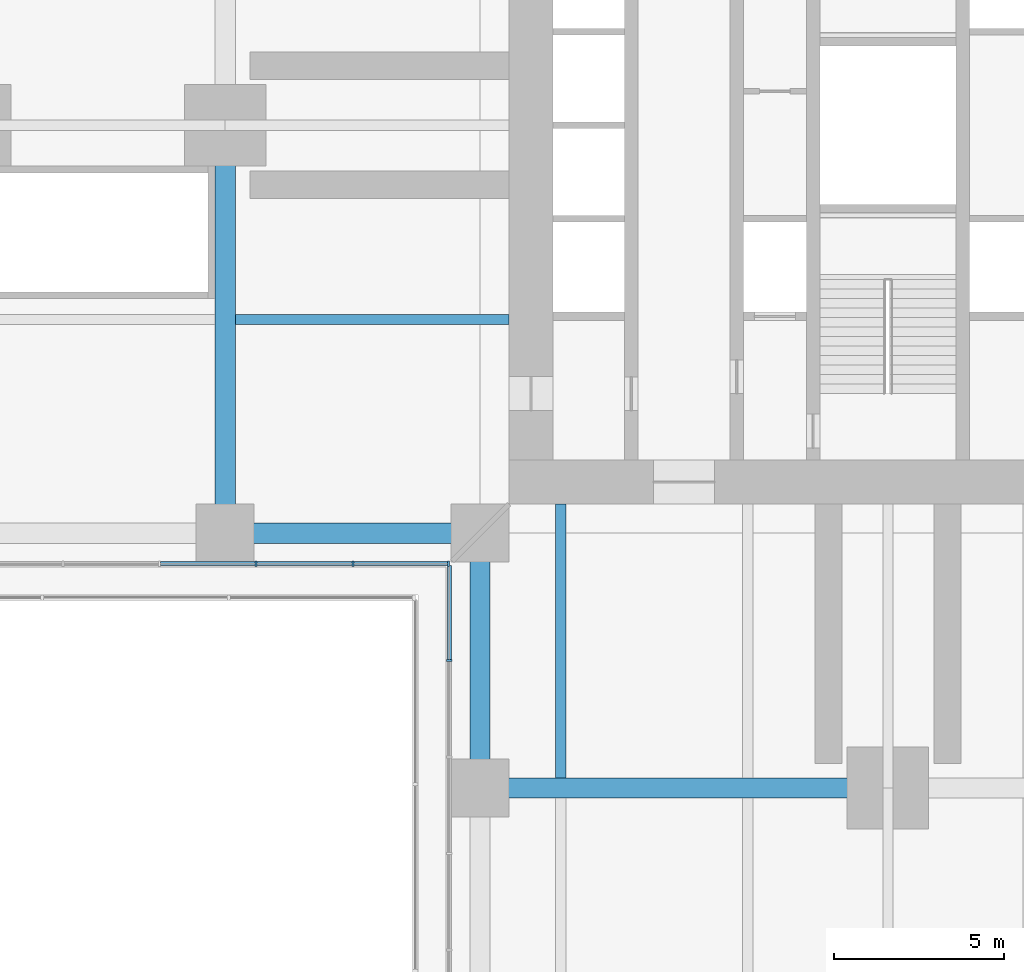
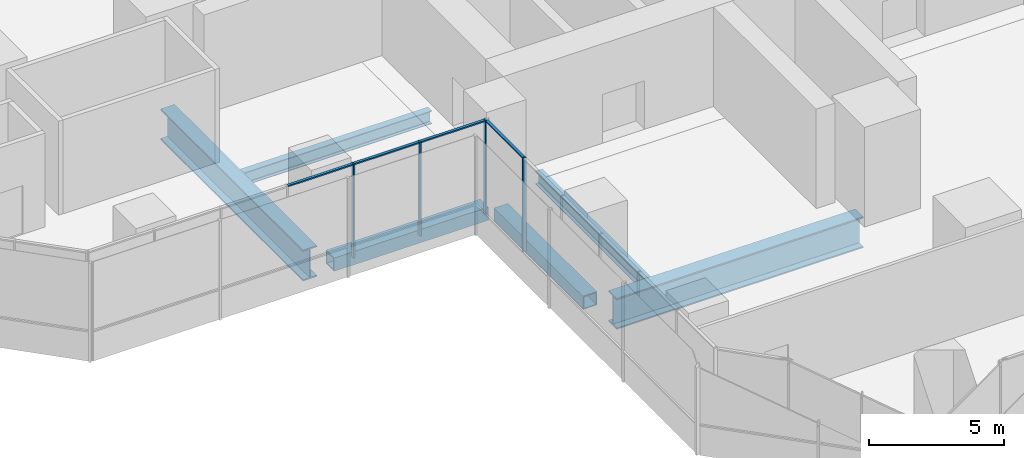
# One storey, part 4 of 21: 8 members, 6 beams, 2 elements without a shape of their own.
"""IFC4 building model written with IfcOpenShell, lengths in metres."""

from ifc_helpers import new_model, si_unit, direction, frame, origin, origin_2d, place, context, subcontext, project, spatial, rectangle, hollow_rectangle, i_section, extrude, material, material_profile, profile_set, type_object, element, aggregate, save


model = new_model("IFC4")

# Units and contexts
model_context = context("Model", 3, precision=1e-05, world=origin(), true_north=direction((0.0, 1.0)))
body_context = subcontext(model_context, "Body", "Model", "MODEL_VIEW")
ifc_project = project(units=[si_unit("LENGTHUNIT", "METRE"), si_unit("AREAUNIT", "SQUARE_METRE"), si_unit("VOLUMEUNIT", "CUBIC_METRE"), si_unit("PLANEANGLEUNIT", "RADIAN"), si_unit("MASSUNIT", "GRAM", prefix="KILO")], contexts=[model_context])

# Site, building, storey
site_placement = place(None, origin())
site = spatial("IfcSite", under=ifc_project, at=site_placement, CompositionType="ELEMENT")
building_placement = place(site_placement, origin())
building = spatial("IfcBuilding", under=site, at=building_placement, Name="Mizan Broadcast Tower", CompositionType="ELEMENT")
storey_placement = place(building_placement, frame((0.0, 0.0, 33.0)))
storey = spatial("IfcBuildingStorey", under=building, at=storey_placement, Name="L05", CompositionType="ELEMENT", Elevation=33.0)

# Beams
ifc_material_1 = material(Name="Steel S355", Category="steel")
ifc_material_profile_1 = material_profile(ifc_material_1, hollow_rectangle(XDim=0.60009765625, YDim=0.60009765625, WallThickness=0.0400390625, at=origin_2d()), Name="BOX 600x600x40")
ifc_profile_set_1 = profile_set([ifc_material_profile_1], Name="Steel S355")
beam_type_1 = type_object("IfcBeamType", Name="EDGE BEAM BOX 600x600x40", PredefinedType="SPANDREL", material=ifc_profile_set_1)
for number, where, z_axis, x_axis, name in (
    (1, (-12.449951171875, -12.0, -0.550048828125), (-1.0, 0.0, 0.0), (0.0, -1.0, 0.0), "Edge beam BOX 600x600x40 L05 west arm"),
    (2, (-12.0, -12.449951171875, -0.550048828125), (0.0, -1.0, 0.0), (1.0, 0.0, 0.0), "Edge beam BOX 600x600x40 L05 south arm"),
):
    element("IfcBeam", number, at=place(storey_placement, frame(where, z_axis=z_axis, x_axis=x_axis)), inside=storey, type_object=beam_type_1, Name=name, PredefinedType="SPANDREL", context=body_context, shape_type="SweptSolid", body=[
        extrude(hollow_rectangle(XDim=0.60009765625, YDim=0.60009765625, WallThickness=0.0400390625, at=origin_2d()), origin(), (0.0, 0.0, 1.0), 6.60009765625),
    ])
ifc_material_2 = material(Name="Steel S460", Category="steel")
ifc_material_profile_2 = material_profile(ifc_material_2, i_section(OverallWidth=0.60009765625, OverallDepth=1.39990234375, WebThickness=0.02490234375, FlangeThickness=0.06005859375, at=origin_2d()), Name="WPG 1400x600")
ifc_profile_set_2 = profile_set([ifc_material_profile_2], Name="Steel S460")
beam_type_2 = type_object("IfcBeamType", Name="GIRDER WPG 1400x600", PredefinedType="BEAM", material=ifc_profile_set_2)
for number, where, z_axis, x_axis, name in (
    (3, (-19.5, -0.719970703125, -0.949951171875), (0.0, -1.0, 0.0), (1.0, 0.0, 0.0), "Girder WPG 1400x600 L05 west arm"),
    (4, (-11.280029296875, -19.5, -0.949951171875), (1.0, 0.0, 0.0), (0.0, 1.0, 0.0), "Girder WPG 1400x600 L05 south arm"),
):
    element("IfcBeam", number, at=place(storey_placement, frame(where, z_axis=z_axis, x_axis=x_axis)), inside=storey, type_object=beam_type_2, Name=name, PredefinedType="BEAM", context=body_context, shape_type="SweptSolid", body=[
        extrude(i_section(OverallWidth=0.60009765625, OverallDepth=1.39990234375, WebThickness=0.02490234375, FlangeThickness=0.06005859375, at=origin_2d()), origin(), (0.0, 0.0, 1.0), 10.56005859375),
    ])

# Curtain wall, members
ifc_material_3 = material(Name="Aluminium framed glazing", Category="aluminium")
curtain_wall_type = type_object("IfcCurtainWallType", Name="PODIUM CURTAIN WALL", PredefinedType="USERDEFINED", material=ifc_material_3)
curtain_wall_1_placement = place(storey_placement, origin())
curtain_wall_1 = element("IfcCurtainWall", 5, at=curtain_wall_1_placement, inside=storey, type_object=curtain_wall_type, Name="Podium curtain wall L05 W side", ObjectType="PODIUM CURTAIN WALL", PredefinedType="USERDEFINED")
ifc_material_4 = material(Name="Aluminium, pale anodised", Category="aluminium")
ifc_material_profile_3 = material_profile(ifc_material_4, rectangle(XDim=0.159912109375, YDim=0.06005859375, at=origin_2d()), Name="MULLION 160x60")
ifc_profile_set_3 = profile_set([ifc_material_profile_3], Name="Aluminium, pale anodised")
member_type_1 = type_object("IfcMemberType", Name="INNER SKIN MULLION 60x160", PredefinedType="MULLION", material=ifc_profile_set_3)
member_1_placement = place(storey_placement, frame((-18.586181640625, -12.89990234375, 0.0), z_axis=(0.0, 0.0, 1.0), x_axis=(0.0, 1.0, 0.0)))
member_1 = element("IfcMember", 6, at=member_1_placement, type_object=member_type_1, Name="Podium curtain wall L05 W side mullion 5", PredefinedType="MULLION", context=body_context, shape_type="SweptSolid", body=[
    extrude(rectangle(XDim=0.159912109375, YDim=0.06005859375, at=origin_2d()), origin(), (0.0, 0.0, 1.0), 4.25),
])
member_2_placement = place(storey_placement, frame((-15.7431640625, -12.89990234375, 0.0), z_axis=(0.0, 0.0, 1.0), x_axis=(0.0, 1.0, 0.0)))
member_2 = element("IfcMember", 7, at=member_2_placement, type_object=member_type_1, Name="Podium curtain wall L05 W side mullion 6", PredefinedType="MULLION", context=body_context, shape_type="SweptSolid", body=[
    extrude(rectangle(XDim=0.159912109375, YDim=0.06005859375, at=origin_2d()), origin(), (0.0, 0.0, 1.0), 4.25),
])
member_3_placement = place(storey_placement, frame((-12.929931640625, -12.89990234375, 0.0), z_axis=(0.0, 0.0, 1.0), x_axis=(0.0, 1.0, 0.0)))
member_3 = element("IfcMember", 8, at=member_3_placement, type_object=member_type_1, Name="Podium curtain wall L05 W side mullion 7", PredefinedType="MULLION", context=body_context, shape_type="SweptSolid", body=[
    extrude(rectangle(XDim=0.159912109375, YDim=0.06005859375, at=origin_2d()), origin(), (0.0, 0.0, 1.0), 4.25),
])

# Curtain wall, member
curtain_wall_2_placement = place(storey_placement, origin())
curtain_wall_2 = element("IfcCurtainWall", 9, at=curtain_wall_2_placement, inside=storey, type_object=curtain_wall_type, Name="Podium curtain wall L05 S side", ObjectType="PODIUM CURTAIN WALL", PredefinedType="USERDEFINED")
member_4_placement = place(storey_placement, frame((-12.89990234375, -15.7431640625, 0.0), z_axis=(0.0, 0.0, 1.0), x_axis=(1.0, 0.0, 0.0)))
member_4 = element("IfcMember", 10, at=member_4_placement, type_object=member_type_1, Name="Podium curtain wall L05 S side mullion 2", PredefinedType="MULLION", context=body_context, shape_type="SweptSolid", body=[
    extrude(rectangle(XDim=0.159912109375, YDim=0.06005859375, at=origin_2d()), origin(), (0.0, 0.0, 1.0), 4.25),
])

# Member
ifc_material_5 = material(Name="Aluminium, pale anodised", Category="aluminium")
ifc_material_profile_4 = material_profile(ifc_material_5, rectangle(XDim=0.1201171875, YDim=0.06005859375, at=origin_2d()), Name="TRANSOM 120x60")
ifc_profile_set_4 = profile_set([ifc_material_profile_4], Name="Aluminium, pale anodised")
member_type_2 = type_object("IfcMemberType", Name="INNER SKIN TRANSOM 60x120", PredefinedType="USERDEFINED", material=ifc_profile_set_4)
member_5_placement = place(storey_placement, frame((-21.399169921875, -12.89990234375, 4.219970703125), z_axis=(1.0, 0.0, 0.0), x_axis=(0.0, 1.0, 0.0)))
member_5 = element("IfcMember", 11, at=member_5_placement, type_object=member_type_2, Name="Podium curtain wall L05 W side transom 4.1", ObjectType="TRANSOM", PredefinedType="USERDEFINED", context=body_context, shape_type="SweptSolid", body=[
    extrude(rectangle(XDim=0.1201171875, YDim=0.06005859375, at=origin_2d()), origin(), (0.0, 0.0, 1.0), 2.782958984375),
])

member_6_placement = place(storey_placement, frame((-18.55615234375, -12.89990234375, 4.219970703125), z_axis=(1.0, 0.0, 0.0), x_axis=(0.0, 1.0, 0.0)))
member_6 = element("IfcMember", 12, at=member_6_placement, type_object=member_type_2, Name="Podium curtain wall L05 W side transom 5.1", ObjectType="TRANSOM", PredefinedType="USERDEFINED", context=body_context, shape_type="SweptSolid", body=[
    extrude(rectangle(XDim=0.1201171875, YDim=0.06005859375, at=origin_2d()), origin(), (0.0, 0.0, 1.0), 2.782958984375),
])

member_7_placement = place(storey_placement, frame((-15.713134765625, -12.89990234375, 4.219970703125), z_axis=(1.0, 0.0, 0.0), x_axis=(0.0, 1.0, 0.0)))
member_7 = element("IfcMember", 13, at=member_7_placement, type_object=member_type_2, Name="Podium curtain wall L05 W side transom 6.1", ObjectType="TRANSOM", PredefinedType="USERDEFINED", context=body_context, shape_type="SweptSolid", body=[
    extrude(rectangle(XDim=0.1201171875, YDim=0.06005859375, at=origin_2d()), origin(), (0.0, 0.0, 1.0), 2.753173828125),
])

aggregate(curtain_wall_1, [member_1, member_2, member_3, member_5, member_6, member_7])

member_8_placement = place(storey_placement, frame((-12.89990234375, -12.9599609375, 4.219970703125), z_axis=(0.0, -1.0, 0.0), x_axis=(1.0, 0.0, 0.0)))
member_8 = element("IfcMember", 14, at=member_8_placement, type_object=member_type_2, Name="Podium curtain wall L05 S side transom 1.1", ObjectType="TRANSOM", PredefinedType="USERDEFINED", context=body_context, shape_type="SweptSolid", body=[
    extrude(rectangle(XDim=0.1201171875, YDim=0.06005859375, at=origin_2d()), origin(), (0.0, 0.0, 1.0), 2.753173828125),
])

aggregate(curtain_wall_2, [member_4, member_8])

# Beams
ifc_material_6 = material(Name="Steel S355", Category="steel")
ifc_material_profile_5 = material_profile(ifc_material_6, i_section(OverallWidth=0.300048828125, OverallDepth=0.590087890625, WebThickness=0.012939453125, FlangeThickness=0.02490234375, FilletRadius=0.027099609375, at=origin_2d()), Name="HEA 600")
ifc_profile_set_5 = profile_set([ifc_material_profile_5], Name="Steel S355")
beam_type_3 = type_object("IfcBeamType", Name="SECONDARY BEAM HEA 600", PredefinedType="JOIST", material=ifc_profile_set_5)
for number, where, z_axis, x_axis, name in (
    (15, (-11.14990234375, -5.71435546875, -0.544921875), (-1.0, 0.0, 0.0), (0.0, -1.0, 0.0), "Secondary beam HEA 600 L05 west arm"),
    (16, (-9.625, -11.14990234375, -0.544921875), (0.0, -1.0, 0.0), (1.0, 0.0, 0.0), "Secondary beam HEA 600 L05 south arm"),
):
    element("IfcBeam", number, at=place(storey_placement, frame(where, z_axis=z_axis, x_axis=x_axis)), inside=storey, type_object=beam_type_3, Name=name, PredefinedType="JOIST", context=body_context, shape_type="SweptSolid", body=[
        extrude(i_section(OverallWidth=0.300048828125, OverallDepth=0.590087890625, WebThickness=0.012939453125, FlangeThickness=0.02490234375, FilletRadius=0.027099609375, at=origin_2d()), origin(), (0.0, 0.0, 1.0), 8.050048828125),
    ])

save(model, "model.ifc")
